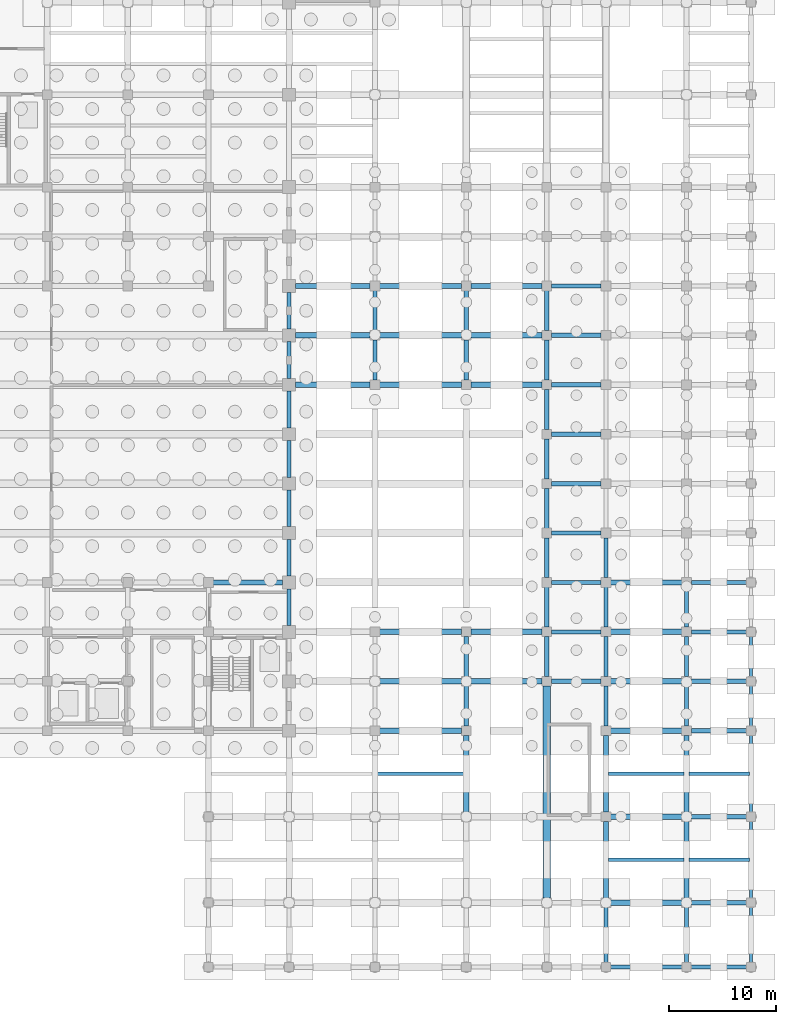
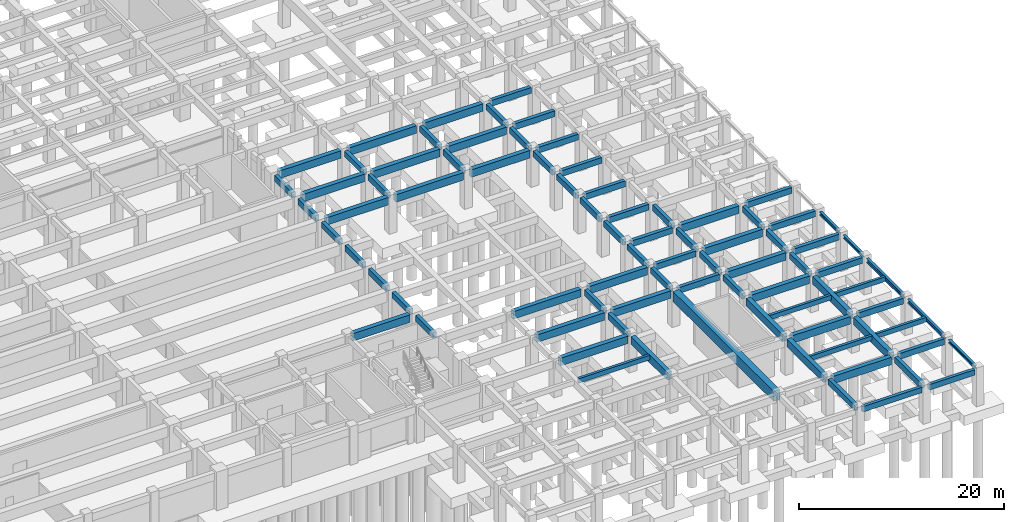
# One storey, part 18 of 32: 84 beams.
"""IFC4 building model written with IfcOpenShell, lengths in metres."""

from ifc_helpers import new_model, si_unit, direction, frame, origin, origin_2d, place, context, subcontext, project, spatial, rectangle, i_section, extrude, material, material_profile, profile_set, type_object, element, save


model = new_model("IFC4")

# Units and contexts
model_context = context("Model", 3, precision=1e-05, world=origin(), true_north=direction((0.0, 1.0)))
body_context = subcontext(model_context, "Body", "Model", "MODEL_VIEW")
ifc_project = project(units=[si_unit("LENGTHUNIT", "METRE"), si_unit("AREAUNIT", "SQUARE_METRE"), si_unit("VOLUMEUNIT", "CUBIC_METRE"), si_unit("PLANEANGLEUNIT", "RADIAN"), si_unit("MASSUNIT", "GRAM", prefix="KILO")], contexts=[model_context])

# Site, building, storey
site_placement = place(None, origin())
site = spatial("IfcSite", under=ifc_project, at=site_placement, CompositionType="ELEMENT")
building_placement = place(site_placement, origin())
building = spatial("IfcBuilding", under=site, at=building_placement, Name="Muzn Square Opera House", CompositionType="ELEMENT")
storey_placement = place(building_placement, frame((0.0, 0.0, -4.199951171875)))
storey = spatial("IfcBuildingStorey", under=building, at=storey_placement, Name="B1", CompositionType="ELEMENT", Elevation=-4.199951171875)

# Beams
ifc_material_1 = material(Name="Concrete C40/50", Category="concrete")
ifc_material_profile_1 = material_profile(ifc_material_1, rectangle(XDim=0.300048828125, YDim=0.550048828125, at=origin_2d()), Name="RCJ 300x550", Category="concrete")
ifc_profile_set_1 = profile_set([ifc_material_profile_1], Name="Concrete C40/50")
beam_type_1 = type_object("IfcBeamType", Name="Floor Joist 300x550", PredefinedType="JOIST", material=ifc_profile_set_1)
beam_1_placement = place(storey_placement, frame((141.241943359375, 18.0, 3.60498046875), z_axis=(1.0, 0.0, 0.0), x_axis=(0.0, 1.0, 0.0)))
element("IfcBeam", 1, at=beam_1_placement, inside=storey, type_object=beam_type_1, Name="Floor Joist BM-B1-BM-J550-1412_180_1493_180-701", PredefinedType="JOIST", context=body_context, shape_type="SweptSolid", body=[
    extrude(rectangle(XDim=0.300048828125, YDim=0.550048828125, at=origin_2d()), origin(), (0.0, 0.0, 1.0), 8.01611328125),
])
for number, where, z_axis, x_axis, name in (
    (2, (162.741943359375, 10.0, 3.60498046875), (1.0, 0.0, 0.0), (0.0, 1.0, 0.0), "Floor Joist BM-B1-BM-J550-1627_100_1698_100-710"),
    (3, (162.741943359375, 18.0, 3.60498046875), (1.0, 0.0, 0.0), (0.0, 1.0, 0.0), "Floor Joist BM-B1-BM-J550-1627_180_1698_180-711"),
):
    element("IfcBeam", number, at=place(storey_placement, frame(where, z_axis=z_axis, x_axis=x_axis)), inside=storey, type_object=beam_type_1, Name=name, PredefinedType="JOIST", context=body_context, shape_type="SweptSolid", body=[
        extrude(rectangle(XDim=0.300048828125, YDim=0.550048828125, at=origin_2d()), origin(), (0.0, 0.0, 1.0), 7.01611328125),
    ])
for number, where, z_axis, x_axis, name in (
    (4, (170.241943359375, 10.0, 3.6650390625), (1.0, 0.0, 0.0), (0.0, 1.0, 0.0), "Floor Joist BM-B1-BM-J550-1702_100_1759_100-712"),
    (5, (170.241943359375, 18.0, 3.6650390625), (1.0, 0.0, 0.0), (0.0, 1.0, 0.0), "Floor Joist BM-B1-BM-J550-1702_180_1759_180-713"),
):
    element("IfcBeam", number, at=place(storey_placement, frame(where, z_axis=z_axis, x_axis=x_axis)), inside=storey, type_object=beam_type_1, Name=name, PredefinedType="JOIST", context=body_context, shape_type="SweptSolid", body=[
        extrude(rectangle(XDim=0.300048828125, YDim=0.550048828125, at=origin_2d()), origin(), (0.0, 0.0, 1.0), 5.615966796875),
    ])
ifc_material_profile_2 = material_profile(ifc_material_1, rectangle(XDim=0.39990234375, YDim=0.699951171875, at=origin_2d()), Name="RCB 400x700", Category="concrete")
ifc_profile_set_2 = profile_set([ifc_material_profile_2], Name="Concrete C40/50")
beam_type_2 = type_object("IfcBeamType", Name="Primary Girder 400x700", PredefinedType="BEAM", material=ifc_profile_set_2)
for number, where, z_axis, x_axis, name in (
    (6, (170.44189453125, 6.0, 3.58984375), (1.0, 0.0, 0.0), (0.0, 1.0, 0.0), "Primary Girder BM-B1-BM-PG700-1704_60_1756_60-28"),
    (7, (170.44189453125, 14.0, 3.58984375), (1.0, 0.0, 0.0), (0.0, 1.0, 0.0), "Primary Girder BM-B1-BM-PG700-1704_140_1756_140-40"),
    (8, (170.44189453125, 22.0, 3.58984375), (1.0, 0.0, 0.0), (0.0, 1.0, 0.0), "Primary Girder BM-B1-BM-PG700-1704_220_1756_220-60"),
):
    element("IfcBeam", number, at=place(storey_placement, frame(where, z_axis=z_axis, x_axis=x_axis)), inside=storey, type_object=beam_type_2, Name=name, PredefinedType="BEAM", context=body_context, shape_type="SweptSolid", body=[
        extrude(rectangle(XDim=0.39990234375, YDim=0.699951171875, at=origin_2d()), origin(), (0.0, 0.0, 1.0), 5.14111328125),
    ])
beam_2_placement = place(storey_placement, frame((157.44189453125, 26.60009765625, 3.530029296875), z_axis=(1.0, 0.0, 0.0), x_axis=(0.0, 1.0, 0.0)))
element("IfcBeam", 9, at=beam_2_placement, inside=storey, type_object=beam_type_2, Name="Primary Girder BM-B1-BM-PG700-1574_266_1621_266-75", PredefinedType="BEAM", context=body_context, shape_type="SweptSolid", body=[
    extrude(rectangle(XDim=0.39990234375, YDim=0.699951171875, at=origin_2d()), origin(), (0.0, 0.0, 1.0), 4.6162109375),
])
beam_3_placement = place(storey_placement, frame((170.44189453125, 26.60009765625, 3.58984375), z_axis=(1.0, 0.0, 0.0), x_axis=(0.0, 1.0, 0.0)))
element("IfcBeam", 10, at=beam_3_placement, inside=storey, type_object=beam_type_2, Name="Primary Girder BM-B1-BM-PG700-1704_266_1756_266-77", PredefinedType="BEAM", context=body_context, shape_type="SweptSolid", body=[
    extrude(rectangle(XDim=0.39990234375, YDim=0.699951171875, at=origin_2d()), origin(), (0.0, 0.0, 1.0), 5.14111328125),
])
beam_4_placement = place(storey_placement, frame((157.44189453125, 31.199951171875, 3.530029296875), z_axis=(1.0, 0.0, 0.0), x_axis=(0.0, 1.0, 0.0)))
element("IfcBeam", 11, at=beam_4_placement, inside=storey, type_object=beam_type_2, Name="Primary Girder BM-B1-BM-PG700-1574_312_1621_312-96", PredefinedType="BEAM", context=body_context, shape_type="SweptSolid", body=[
    extrude(rectangle(XDim=0.39990234375, YDim=0.699951171875, at=origin_2d()), origin(), (0.0, 0.0, 1.0), 4.6162109375),
])
beam_5_placement = place(storey_placement, frame((170.44189453125, 31.199951171875, 3.58984375), z_axis=(1.0, 0.0, 0.0), x_axis=(0.0, 1.0, 0.0)))
element("IfcBeam", 12, at=beam_5_placement, inside=storey, type_object=beam_type_2, Name="Primary Girder BM-B1-BM-PG700-1704_312_1756_312-98", PredefinedType="BEAM", context=body_context, shape_type="SweptSolid", body=[
    extrude(rectangle(XDim=0.39990234375, YDim=0.699951171875, at=origin_2d()), origin(), (0.0, 0.0, 1.0), 5.14111328125),
])
beam_6_placement = place(storey_placement, frame((157.44189453125, 35.800048828125, 3.530029296875), z_axis=(1.0, 0.0, 0.0), x_axis=(0.0, 1.0, 0.0)))
element("IfcBeam", 13, at=beam_6_placement, inside=storey, type_object=beam_type_2, Name="Primary Girder BM-B1-BM-PG700-1574_358_1621_358-111", PredefinedType="BEAM", context=body_context, shape_type="SweptSolid", body=[
    extrude(rectangle(XDim=0.39990234375, YDim=0.699951171875, at=origin_2d()), origin(), (0.0, 0.0, 1.0), 4.6162109375),
])
beam_7_placement = place(storey_placement, frame((170.44189453125, 35.800048828125, 3.58984375), z_axis=(1.0, 0.0, 0.0), x_axis=(0.0, 1.0, 0.0)))
element("IfcBeam", 14, at=beam_7_placement, inside=storey, type_object=beam_type_2, Name="Primary Girder BM-B1-BM-PG700-1704_358_1756_358-113", PredefinedType="BEAM", context=body_context, shape_type="SweptSolid", body=[
    extrude(rectangle(XDim=0.39990234375, YDim=0.699951171875, at=origin_2d()), origin(), (0.0, 0.0, 1.0), 5.14111328125),
])
for number, where, z_axis, x_axis, name in (
    (15, (157.44189453125, 40.39990234375, 3.530029296875), (1.0, 0.0, 0.0), (0.0, 1.0, 0.0), "Primary Girder BM-B1-BM-PG700-1574_404_1621_404-120"),
    (16, (157.44189453125, 45.0, 3.530029296875), (1.0, 0.0, 0.0), (0.0, 1.0, 0.0), "Primary Girder BM-B1-BM-PG700-1574_450_1621_450-129"),
    (17, (157.44189453125, 49.60009765625, 3.530029296875), (1.0, 0.0, 0.0), (0.0, 1.0, 0.0), "Primary Girder BM-B1-BM-PG700-1574_496_1621_496-138"),
    (18, (157.44189453125, 54.199951171875, 3.530029296875), (1.0, 0.0, 0.0), (0.0, 1.0, 0.0), "Primary Girder BM-B1-BM-PG700-1574_542_1621_542-153"),
    (19, (157.44189453125, 58.800048828125, 3.530029296875), (1.0, 0.0, 0.0), (0.0, 1.0, 0.0), "Primary Girder BM-B1-BM-PG700-1574_588_1621_588-168"),
    (20, (157.44189453125, 63.39990234375, 3.530029296875), (1.0, 0.0, 0.0), (0.0, 1.0, 0.0), "Primary Girder BM-B1-BM-PG700-1574_634_1621_634-187"),
):
    element("IfcBeam", number, at=place(storey_placement, frame(where, z_axis=z_axis, x_axis=x_axis)), inside=storey, type_object=beam_type_2, Name=name, PredefinedType="BEAM", context=body_context, shape_type="SweptSolid", body=[
        extrude(rectangle(XDim=0.39990234375, YDim=0.699951171875, at=origin_2d()), origin(), (0.0, 0.0, 1.0), 4.6162109375),
    ])
for number, where, z_axis, x_axis, name in (
    (21, (133.0, 31.7919921875, 3.530029296875), (0.0, 1.0, 0.0), (-1.0, 0.0, 0.0), "Primary Girder BM-B1-BM-PG700-1330_318_1330_352-483"),
    (22, (133.0, 36.39208984375, 3.530029296875), (0.0, 1.0, 0.0), (-1.0, 0.0, 0.0), "Primary Girder BM-B1-BM-PG700-1330_364_1330_398-484"),
    (23, (133.0, 40.991943359375, 3.530029296875), (0.0, 1.0, 0.0), (-1.0, 0.0, 0.0), "Primary Girder BM-B1-BM-PG700-1330_410_1330_444-485"),
    (24, (133.0, 45.592041015625, 3.530029296875), (0.0, 1.0, 0.0), (-1.0, 0.0, 0.0), "Primary Girder BM-B1-BM-PG700-1330_456_1330_490-486"),
    (25, (133.0, 50.19189453125, 3.530029296875), (0.0, 1.0, 0.0), (-1.0, 0.0, 0.0), "Primary Girder BM-B1-BM-PG700-1330_502_1330_536-487"),
    (26, (133.0, 54.7919921875, 3.530029296875), (0.0, 1.0, 0.0), (-1.0, 0.0, 0.0), "Primary Girder BM-B1-BM-PG700-1330_548_1330_582-488"),
    (27, (133.0, 59.39208984375, 3.530029296875), (0.0, 1.0, 0.0), (-1.0, 0.0, 0.0), "Primary Girder BM-B1-BM-PG700-1330_594_1330_628-489"),
):
    element("IfcBeam", number, at=place(storey_placement, frame(where, z_axis=z_axis, x_axis=x_axis)), inside=storey, type_object=beam_type_2, Name=name, PredefinedType="BEAM", context=body_context, shape_type="SweptSolid", body=[
        extrude(rectangle(XDim=0.39990234375, YDim=0.699951171875, at=origin_2d()), origin(), (0.0, 0.0, 1.0), 3.416015625),
    ])
beam_8_placement = place(storey_placement, frame((141.0, 54.64208984375, 3.530029296875), z_axis=(0.0, 1.0, 0.0), x_axis=(-1.0, 0.0, 0.0)))
element("IfcBeam", 28, at=beam_8_placement, inside=storey, type_object=beam_type_2, Name="Primary Girder BM-B1-BM-PG700-1410_546_1410_584-500", PredefinedType="BEAM", context=body_context, shape_type="SweptSolid", body=[
    extrude(rectangle(XDim=0.39990234375, YDim=0.699951171875, at=origin_2d()), origin(), (0.0, 0.0, 1.0), 3.7158203125),
])
for number, where, z_axis, x_axis, name in (
    (29, (141.0, 59.241943359375, 3.530029296875), (0.0, 1.0, 0.0), (-1.0, 0.0, 0.0), "Primary Girder BM-B1-BM-PG700-1410_592_1410_630-501"),
    (30, (149.5, 22.44189453125, 3.530029296875), (0.0, 1.0, 0.0), (-1.0, 0.0, 0.0), "Primary Girder BM-B1-BM-PG700-1495_224_1495_262-510"),
    (31, (149.5, 27.0419921875, 3.530029296875), (0.0, 1.0, 0.0), (-1.0, 0.0, 0.0), "Primary Girder BM-B1-BM-PG700-1495_270_1495_308-511"),
):
    element("IfcBeam", number, at=place(storey_placement, frame(where, z_axis=z_axis, x_axis=x_axis)), inside=storey, type_object=beam_type_2, Name=name, PredefinedType="BEAM", context=body_context, shape_type="SweptSolid", body=[
        extrude(rectangle(XDim=0.39990234375, YDim=0.699951171875, at=origin_2d()), origin(), (0.0, 0.0, 1.0), 3.716064453125),
    ])
beam_9_placement = place(storey_placement, frame((149.5, 54.64208984375, 3.530029296875), z_axis=(0.0, 1.0, 0.0), x_axis=(-1.0, 0.0, 0.0)))
element("IfcBeam", 32, at=beam_9_placement, inside=storey, type_object=beam_type_2, Name="Primary Girder BM-B1-BM-PG700-1495_546_1495_584-512", PredefinedType="BEAM", context=body_context, shape_type="SweptSolid", body=[
    extrude(rectangle(XDim=0.39990234375, YDim=0.699951171875, at=origin_2d()), origin(), (0.0, 0.0, 1.0), 3.7158203125),
])
for number, where, z_axis, x_axis, name in (
    (33, (149.5, 59.241943359375, 3.530029296875), (0.0, 1.0, 0.0), (-1.0, 0.0, 0.0), "Primary Girder BM-B1-BM-PG700-1495_592_1495_630-513"),
    (34, (157.0, 27.0419921875, 3.530029296875), (0.0, 1.0, 0.0), (-1.0, 0.0, 0.0), "Primary Girder BM-B1-BM-PG700-1570_270_1570_308-519"),
):
    element("IfcBeam", number, at=place(storey_placement, frame(where, z_axis=z_axis, x_axis=x_axis)), inside=storey, type_object=beam_type_2, Name=name, PredefinedType="BEAM", context=body_context, shape_type="SweptSolid", body=[
        extrude(rectangle(XDim=0.39990234375, YDim=0.699951171875, at=origin_2d()), origin(), (0.0, 0.0, 1.0), 3.716064453125),
    ])
beam_10_placement = place(storey_placement, frame((157.0, 31.64208984375, 3.530029296875), z_axis=(0.0, 1.0, 0.0), x_axis=(-1.0, 0.0, 0.0)))
element("IfcBeam", 35, at=beam_10_placement, inside=storey, type_object=beam_type_2, Name="Primary Girder BM-B1-BM-PG700-1570_316_1570_354-520", PredefinedType="BEAM", context=body_context, shape_type="SweptSolid", body=[
    extrude(rectangle(XDim=0.39990234375, YDim=0.699951171875, at=origin_2d()), origin(), (0.0, 0.0, 1.0), 3.7158203125),
])
for number, where, z_axis, x_axis, name in (
    (36, (157.0, 36.241943359375, 3.530029296875), (0.0, 1.0, 0.0), (-1.0, 0.0, 0.0), "Primary Girder BM-B1-BM-PG700-1570_362_1570_400-521"),
    (37, (157.0, 40.842041015625, 3.530029296875), (0.0, 1.0, 0.0), (-1.0, 0.0, 0.0), "Primary Girder BM-B1-BM-PG700-1570_408_1570_446-522"),
    (38, (157.0, 45.44189453125, 3.530029296875), (0.0, 1.0, 0.0), (-1.0, 0.0, 0.0), "Primary Girder BM-B1-BM-PG700-1570_454_1570_492-523"),
    (39, (157.0, 50.0419921875, 3.530029296875), (0.0, 1.0, 0.0), (-1.0, 0.0, 0.0), "Primary Girder BM-B1-BM-PG700-1570_500_1570_538-524"),
):
    element("IfcBeam", number, at=place(storey_placement, frame(where, z_axis=z_axis, x_axis=x_axis)), inside=storey, type_object=beam_type_2, Name=name, PredefinedType="BEAM", context=body_context, shape_type="SweptSolid", body=[
        extrude(rectangle(XDim=0.39990234375, YDim=0.699951171875, at=origin_2d()), origin(), (0.0, 0.0, 1.0), 3.716064453125),
    ])
beam_11_placement = place(storey_placement, frame((157.0, 54.64208984375, 3.530029296875), z_axis=(0.0, 1.0, 0.0), x_axis=(-1.0, 0.0, 0.0)))
element("IfcBeam", 40, at=beam_11_placement, inside=storey, type_object=beam_type_2, Name="Primary Girder BM-B1-BM-PG700-1570_546_1570_584-525", PredefinedType="BEAM", context=body_context, shape_type="SweptSolid", body=[
    extrude(rectangle(XDim=0.39990234375, YDim=0.699951171875, at=origin_2d()), origin(), (0.0, 0.0, 1.0), 3.7158203125),
])
beam_12_placement = place(storey_placement, frame((157.0, 59.241943359375, 3.530029296875), z_axis=(0.0, 1.0, 0.0), x_axis=(-1.0, 0.0, 0.0)))
element("IfcBeam", 41, at=beam_12_placement, inside=storey, type_object=beam_type_2, Name="Primary Girder BM-B1-BM-PG700-1570_592_1570_630-526", PredefinedType="BEAM", context=body_context, shape_type="SweptSolid", body=[
    extrude(rectangle(XDim=0.39990234375, YDim=0.699951171875, at=origin_2d()), origin(), (0.0, 0.0, 1.0), 3.716064453125),
])
beam_13_placement = place(storey_placement, frame((162.5, 0.4169921875, 3.58984375), z_axis=(0.0, 1.0, 0.0), x_axis=(-1.0, 0.0, 0.0)))
element("IfcBeam", 42, at=beam_13_placement, inside=storey, type_object=beam_type_2, Name="Primary Girder BM-B1-BM-PG700-1625_4_1625_56-530", PredefinedType="BEAM", context=body_context, shape_type="SweptSolid", body=[
    extrude(rectangle(XDim=0.39990234375, YDim=0.699951171875, at=origin_2d()), origin(), (0.0, 0.0, 1.0), 5.14111328125),
])
for number, where, z_axis, x_axis, name in (
    (43, (162.5, 22.44189453125, 3.530029296875), (0.0, 1.0, 0.0), (-1.0, 0.0, 0.0), "Primary Girder BM-B1-BM-PG700-1625_224_1625_262-533"),
    (44, (162.5, 27.0419921875, 3.530029296875), (0.0, 1.0, 0.0), (-1.0, 0.0, 0.0), "Primary Girder BM-B1-BM-PG700-1625_270_1625_308-534"),
):
    element("IfcBeam", number, at=place(storey_placement, frame(where, z_axis=z_axis, x_axis=x_axis)), inside=storey, type_object=beam_type_2, Name=name, PredefinedType="BEAM", context=body_context, shape_type="SweptSolid", body=[
        extrude(rectangle(XDim=0.39990234375, YDim=0.699951171875, at=origin_2d()), origin(), (0.0, 0.0, 1.0), 3.716064453125),
    ])
beam_14_placement = place(storey_placement, frame((162.5, 31.64208984375, 3.530029296875), z_axis=(0.0, 1.0, 0.0), x_axis=(-1.0, 0.0, 0.0)))
element("IfcBeam", 45, at=beam_14_placement, inside=storey, type_object=beam_type_2, Name="Primary Girder BM-B1-BM-PG700-1625_316_1625_354-535", PredefinedType="BEAM", context=body_context, shape_type="SweptSolid", body=[
    extrude(rectangle(XDim=0.39990234375, YDim=0.699951171875, at=origin_2d()), origin(), (0.0, 0.0, 1.0), 3.7158203125),
])
beam_15_placement = place(storey_placement, frame((162.5, 36.241943359375, 3.530029296875), z_axis=(0.0, 1.0, 0.0), x_axis=(-1.0, 0.0, 0.0)))
element("IfcBeam", 46, at=beam_15_placement, inside=storey, type_object=beam_type_2, Name="Primary Girder BM-B1-BM-PG700-1625_362_1625_400-536", PredefinedType="BEAM", context=body_context, shape_type="SweptSolid", body=[
    extrude(rectangle(XDim=0.39990234375, YDim=0.699951171875, at=origin_2d()), origin(), (0.0, 0.0, 1.0), 3.716064453125),
])
beam_16_placement = place(storey_placement, frame((170.0, 0.4169921875, 3.58984375), z_axis=(0.0, 1.0, 0.0), x_axis=(-1.0, 0.0, 0.0)))
element("IfcBeam", 47, at=beam_16_placement, inside=storey, type_object=beam_type_2, Name="Primary Girder BM-B1-BM-PG700-1700_4_1700_56-545", PredefinedType="BEAM", context=body_context, shape_type="SweptSolid", body=[
    extrude(rectangle(XDim=0.39990234375, YDim=0.699951171875, at=origin_2d()), origin(), (0.0, 0.0, 1.0), 5.14111328125),
])
for number, where, z_axis, x_axis, name in (
    (48, (170.0, 22.44189453125, 3.530029296875), (0.0, 1.0, 0.0), (-1.0, 0.0, 0.0), "Primary Girder BM-B1-BM-PG700-1700_224_1700_262-548"),
    (49, (170.0, 27.0419921875, 3.530029296875), (0.0, 1.0, 0.0), (-1.0, 0.0, 0.0), "Primary Girder BM-B1-BM-PG700-1700_270_1700_308-549"),
):
    element("IfcBeam", number, at=place(storey_placement, frame(where, z_axis=z_axis, x_axis=x_axis)), inside=storey, type_object=beam_type_2, Name=name, PredefinedType="BEAM", context=body_context, shape_type="SweptSolid", body=[
        extrude(rectangle(XDim=0.39990234375, YDim=0.699951171875, at=origin_2d()), origin(), (0.0, 0.0, 1.0), 3.716064453125),
    ])
beam_17_placement = place(storey_placement, frame((170.0, 31.64208984375, 3.530029296875), z_axis=(0.0, 1.0, 0.0), x_axis=(-1.0, 0.0, 0.0)))
element("IfcBeam", 50, at=beam_17_placement, inside=storey, type_object=beam_type_2, Name="Primary Girder BM-B1-BM-PG700-1700_316_1700_354-550", PredefinedType="BEAM", context=body_context, shape_type="SweptSolid", body=[
    extrude(rectangle(XDim=0.39990234375, YDim=0.699951171875, at=origin_2d()), origin(), (0.0, 0.0, 1.0), 3.7158203125),
])
ifc_material_profile_3 = material_profile(ifc_material_1, rectangle(XDim=0.5, YDim=0.89990234375, at=origin_2d()), Name="RCB 500x900", Category="concrete")
ifc_profile_set_3 = profile_set([ifc_material_profile_3], Name="Concrete C40/50")
beam_type_3 = type_object("IfcBeamType", Name="Primary Girder 500x900", PredefinedType="BEAM", material=ifc_profile_set_3)
for number, where, z_axis, x_axis, name in (
    (51, (162.94189453125, 6.0, 3.429931640625), (1.0, 0.0, 0.0), (0.0, 1.0, 0.0), "Primary Girder BM-B1-BM-PG900-1629_60_1696_60-27"),
    (52, (162.94189453125, 14.0, 3.429931640625), (1.0, 0.0, 0.0), (0.0, 1.0, 0.0), "Primary Girder BM-B1-BM-PG900-1629_140_1696_140-39"),
):
    element("IfcBeam", number, at=place(storey_placement, frame(where, z_axis=z_axis, x_axis=x_axis)), inside=storey, type_object=beam_type_3, Name=name, PredefinedType="BEAM", context=body_context, shape_type="SweptSolid", body=[
        extrude(rectangle(XDim=0.5, YDim=0.89990234375, at=origin_2d()), origin(), (0.0, 0.0, 1.0), 6.6162109375),
    ])
beam_18_placement = place(storey_placement, frame((141.44189453125, 22.0, 3.429931640625), z_axis=(1.0, 0.0, 0.0), x_axis=(0.0, 1.0, 0.0)))
element("IfcBeam", 53, at=beam_18_placement, inside=storey, type_object=beam_type_3, Name="Primary Girder BM-B1-BM-PG900-1414_220_1491_220-58", PredefinedType="BEAM", context=body_context, shape_type="SweptSolid", body=[
    extrude(rectangle(XDim=0.5, YDim=0.89990234375, at=origin_2d()), origin(), (0.0, 0.0, 1.0), 7.6162109375),
])
beam_19_placement = place(storey_placement, frame((162.94189453125, 22.0, 3.429931640625), z_axis=(1.0, 0.0, 0.0), x_axis=(0.0, 1.0, 0.0)))
element("IfcBeam", 54, at=beam_19_placement, inside=storey, type_object=beam_type_3, Name="Primary Girder BM-B1-BM-PG900-1629_220_1696_220-59", PredefinedType="BEAM", context=body_context, shape_type="SweptSolid", body=[
    extrude(rectangle(XDim=0.5, YDim=0.89990234375, at=origin_2d()), origin(), (0.0, 0.0, 1.0), 6.6162109375),
])
beam_20_placement = place(storey_placement, frame((141.44189453125, 26.60009765625, 3.429931640625), z_axis=(1.0, 0.0, 0.0), x_axis=(0.0, 1.0, 0.0)))
element("IfcBeam", 55, at=beam_20_placement, inside=storey, type_object=beam_type_3, Name="Primary Girder BM-B1-BM-PG900-1414_266_1491_266-73", PredefinedType="BEAM", context=body_context, shape_type="SweptSolid", body=[
    extrude(rectangle(XDim=0.5, YDim=0.89990234375, at=origin_2d()), origin(), (0.0, 0.0, 1.0), 7.6162109375),
])
for number, where, z_axis, x_axis, name in (
    (56, (149.94189453125, 26.60009765625, 3.429931640625), (1.0, 0.0, 0.0), (0.0, 1.0, 0.0), "Primary Girder BM-B1-BM-PG900-1499_266_1566_266-74"),
    (57, (162.94189453125, 26.60009765625, 3.429931640625), (1.0, 0.0, 0.0), (0.0, 1.0, 0.0), "Primary Girder BM-B1-BM-PG900-1629_266_1696_266-76"),
):
    element("IfcBeam", number, at=place(storey_placement, frame(where, z_axis=z_axis, x_axis=x_axis)), inside=storey, type_object=beam_type_3, Name=name, PredefinedType="BEAM", context=body_context, shape_type="SweptSolid", body=[
        extrude(rectangle(XDim=0.5, YDim=0.89990234375, at=origin_2d()), origin(), (0.0, 0.0, 1.0), 6.6162109375),
    ])
beam_21_placement = place(storey_placement, frame((141.44189453125, 31.199951171875, 3.429931640625), z_axis=(1.0, 0.0, 0.0), x_axis=(0.0, 1.0, 0.0)))
element("IfcBeam", 58, at=beam_21_placement, inside=storey, type_object=beam_type_3, Name="Primary Girder BM-B1-BM-PG900-1414_312_1491_312-94", PredefinedType="BEAM", context=body_context, shape_type="SweptSolid", body=[
    extrude(rectangle(XDim=0.5, YDim=0.89990234375, at=origin_2d()), origin(), (0.0, 0.0, 1.0), 7.6162109375),
])
for number, where, z_axis, x_axis, name in (
    (59, (149.94189453125, 31.199951171875, 3.429931640625), (1.0, 0.0, 0.0), (0.0, 1.0, 0.0), "Primary Girder BM-B1-BM-PG900-1499_312_1566_312-95"),
    (60, (162.94189453125, 31.199951171875, 3.429931640625), (1.0, 0.0, 0.0), (0.0, 1.0, 0.0), "Primary Girder BM-B1-BM-PG900-1629_312_1696_312-97"),
):
    element("IfcBeam", number, at=place(storey_placement, frame(where, z_axis=z_axis, x_axis=x_axis)), inside=storey, type_object=beam_type_3, Name=name, PredefinedType="BEAM", context=body_context, shape_type="SweptSolid", body=[
        extrude(rectangle(XDim=0.5, YDim=0.89990234375, at=origin_2d()), origin(), (0.0, 0.0, 1.0), 6.6162109375),
    ])
beam_22_placement = place(storey_placement, frame((125.94189453125, 35.800048828125, 3.429931640625), z_axis=(1.0, 0.0, 0.0), x_axis=(0.0, 1.0, 0.0)))
element("IfcBeam", 61, at=beam_22_placement, inside=storey, type_object=beam_type_3, Name="Primary Girder BM-B1-BM-PG900-1259_358_1324_358-110", PredefinedType="BEAM", context=body_context, shape_type="SweptSolid", body=[
    extrude(rectangle(XDim=0.5, YDim=0.89990234375, at=origin_2d()), origin(), (0.0, 0.0, 1.0), 6.466064453125),
])
beam_23_placement = place(storey_placement, frame((162.94189453125, 35.800048828125, 3.429931640625), z_axis=(1.0, 0.0, 0.0), x_axis=(0.0, 1.0, 0.0)))
element("IfcBeam", 62, at=beam_23_placement, inside=storey, type_object=beam_type_3, Name="Primary Girder BM-B1-BM-PG900-1629_358_1696_358-112", PredefinedType="BEAM", context=body_context, shape_type="SweptSolid", body=[
    extrude(rectangle(XDim=0.5, YDim=0.89990234375, at=origin_2d()), origin(), (0.0, 0.0, 1.0), 6.6162109375),
])
beam_24_placement = place(storey_placement, frame((133.592041015625, 54.199951171875, 3.429931640625), z_axis=(1.0, 0.0, 0.0), x_axis=(0.0, 1.0, 0.0)))
element("IfcBeam", 63, at=beam_24_placement, inside=storey, type_object=beam_type_3, Name="Primary Girder BM-B1-BM-PG900-1336_542_1406_542-150", PredefinedType="BEAM", context=body_context, shape_type="SweptSolid", body=[
    extrude(rectangle(XDim=0.5, YDim=0.89990234375, at=origin_2d()), origin(), (0.0, 0.0, 1.0), 6.966064453125),
])
beam_25_placement = place(storey_placement, frame((141.44189453125, 54.199951171875, 3.429931640625), z_axis=(1.0, 0.0, 0.0), x_axis=(0.0, 1.0, 0.0)))
element("IfcBeam", 64, at=beam_25_placement, inside=storey, type_object=beam_type_3, Name="Primary Girder BM-B1-BM-PG900-1414_542_1491_542-151", PredefinedType="BEAM", context=body_context, shape_type="SweptSolid", body=[
    extrude(rectangle(XDim=0.5, YDim=0.89990234375, at=origin_2d()), origin(), (0.0, 0.0, 1.0), 7.6162109375),
])
beam_26_placement = place(storey_placement, frame((149.94189453125, 54.199951171875, 3.429931640625), z_axis=(1.0, 0.0, 0.0), x_axis=(0.0, 1.0, 0.0)))
element("IfcBeam", 65, at=beam_26_placement, inside=storey, type_object=beam_type_3, Name="Primary Girder BM-B1-BM-PG900-1499_542_1566_542-152", PredefinedType="BEAM", context=body_context, shape_type="SweptSolid", body=[
    extrude(rectangle(XDim=0.5, YDim=0.89990234375, at=origin_2d()), origin(), (0.0, 0.0, 1.0), 6.6162109375),
])
beam_27_placement = place(storey_placement, frame((133.592041015625, 58.800048828125, 3.429931640625), z_axis=(1.0, 0.0, 0.0), x_axis=(0.0, 1.0, 0.0)))
element("IfcBeam", 66, at=beam_27_placement, inside=storey, type_object=beam_type_3, Name="Primary Girder BM-B1-BM-PG900-1336_588_1406_588-165", PredefinedType="BEAM", context=body_context, shape_type="SweptSolid", body=[
    extrude(rectangle(XDim=0.5, YDim=0.89990234375, at=origin_2d()), origin(), (0.0, 0.0, 1.0), 6.966064453125),
])
beam_28_placement = place(storey_placement, frame((141.44189453125, 58.800048828125, 3.429931640625), z_axis=(1.0, 0.0, 0.0), x_axis=(0.0, 1.0, 0.0)))
element("IfcBeam", 67, at=beam_28_placement, inside=storey, type_object=beam_type_3, Name="Primary Girder BM-B1-BM-PG900-1414_588_1491_588-166", PredefinedType="BEAM", context=body_context, shape_type="SweptSolid", body=[
    extrude(rectangle(XDim=0.5, YDim=0.89990234375, at=origin_2d()), origin(), (0.0, 0.0, 1.0), 7.6162109375),
])
beam_29_placement = place(storey_placement, frame((149.94189453125, 58.800048828125, 3.429931640625), z_axis=(1.0, 0.0, 0.0), x_axis=(0.0, 1.0, 0.0)))
element("IfcBeam", 68, at=beam_29_placement, inside=storey, type_object=beam_type_3, Name="Primary Girder BM-B1-BM-PG900-1499_588_1566_588-167", PredefinedType="BEAM", context=body_context, shape_type="SweptSolid", body=[
    extrude(rectangle(XDim=0.5, YDim=0.89990234375, at=origin_2d()), origin(), (0.0, 0.0, 1.0), 6.6162109375),
])
beam_30_placement = place(storey_placement, frame((133.592041015625, 63.39990234375, 3.429931640625), z_axis=(1.0, 0.0, 0.0), x_axis=(0.0, 1.0, 0.0)))
element("IfcBeam", 69, at=beam_30_placement, inside=storey, type_object=beam_type_3, Name="Primary Girder BM-B1-BM-PG900-1336_634_1406_634-184", PredefinedType="BEAM", context=body_context, shape_type="SweptSolid", body=[
    extrude(rectangle(XDim=0.5, YDim=0.89990234375, at=origin_2d()), origin(), (0.0, 0.0, 1.0), 6.966064453125),
])
beam_31_placement = place(storey_placement, frame((141.44189453125, 63.39990234375, 3.429931640625), z_axis=(1.0, 0.0, 0.0), x_axis=(0.0, 1.0, 0.0)))
element("IfcBeam", 70, at=beam_31_placement, inside=storey, type_object=beam_type_3, Name="Primary Girder BM-B1-BM-PG900-1414_634_1491_634-185", PredefinedType="BEAM", context=body_context, shape_type="SweptSolid", body=[
    extrude(rectangle(XDim=0.5, YDim=0.89990234375, at=origin_2d()), origin(), (0.0, 0.0, 1.0), 7.6162109375),
])
beam_32_placement = place(storey_placement, frame((149.94189453125, 63.39990234375, 3.429931640625), z_axis=(1.0, 0.0, 0.0), x_axis=(0.0, 1.0, 0.0)))
element("IfcBeam", 71, at=beam_32_placement, inside=storey, type_object=beam_type_3, Name="Primary Girder BM-B1-BM-PG900-1499_634_1566_634-186", PredefinedType="BEAM", context=body_context, shape_type="SweptSolid", body=[
    extrude(rectangle(XDim=0.5, YDim=0.89990234375, at=origin_2d()), origin(), (0.0, 0.0, 1.0), 6.6162109375),
])
for number, where, z_axis, x_axis, name in (
    (72, (149.5, 14.44189453125, 3.429931640625), (0.0, 1.0, 0.0), (-1.0, 0.0, 0.0), "Primary Girder BM-B1-BM-PG900-1495_144_1495_216-509"),
    (73, (162.5, 6.44189453125, 3.429931640625), (0.0, 1.0, 0.0), (-1.0, 0.0, 0.0), "Primary Girder BM-B1-BM-PG900-1625_64_1625_136-531"),
    (74, (162.5, 14.44189453125, 3.429931640625), (0.0, 1.0, 0.0), (-1.0, 0.0, 0.0), "Primary Girder BM-B1-BM-PG900-1625_144_1625_216-532"),
    (75, (170.0, 6.44189453125, 3.429931640625), (0.0, 1.0, 0.0), (-1.0, 0.0, 0.0), "Primary Girder BM-B1-BM-PG900-1700_64_1700_136-546"),
    (76, (170.0, 14.44189453125, 3.429931640625), (0.0, 1.0, 0.0), (-1.0, 0.0, 0.0), "Primary Girder BM-B1-BM-PG900-1700_144_1700_216-547"),
):
    element("IfcBeam", number, at=place(storey_placement, frame(where, z_axis=z_axis, x_axis=x_axis)), inside=storey, type_object=beam_type_3, Name=name, PredefinedType="BEAM", context=body_context, shape_type="SweptSolid", body=[
        extrude(rectangle(XDim=0.5, YDim=0.89990234375, at=origin_2d()), origin(), (0.0, 0.0, 1.0), 7.1162109375),
    ])
ifc_material_profile_4 = material_profile(ifc_material_1, rectangle(XDim=0.699951171875, YDim=1.199951171875, at=origin_2d()), Name="RCB 700x1200", Category="concrete")
ifc_profile_set_4 = profile_set([ifc_material_profile_4], Name="Concrete C40/50")
beam_type_4 = type_object("IfcBeamType", Name="Primary Girder 700x1200", PredefinedType="BEAM", material=ifc_profile_set_4)
beam_33_placement = place(storey_placement, frame((157.0, 6.44189453125, 3.280029296875), z_axis=(0.0, 1.0, 0.0), x_axis=(-1.0, 0.0, 0.0)))
element("IfcBeam", 77, at=beam_33_placement, inside=storey, type_object=beam_type_4, Name="Primary Girder BM-B1-BM-PG1200-1570_64_1570_262-518", PredefinedType="BEAM", context=body_context, shape_type="SweptSolid", body=[
    extrude(rectangle(XDim=0.699951171875, YDim=1.199951171875, at=origin_2d()), origin(), (0.0, 0.0, 1.0), 19.716064453125),
])
ifc_material_profile_5 = material_profile(ifc_material_1, rectangle(XDim=0.35009765625, YDim=0.64990234375, at=origin_2d()), Name="RCS 350x650", Category="concrete")
ifc_profile_set_5 = profile_set([ifc_material_profile_5], Name="Concrete C40/50")
beam_type_5 = type_object("IfcBeamType", Name="Spandrel Beam 350x650", PredefinedType="SPANDREL", material=ifc_profile_set_5)
beam_34_placement = place(storey_placement, frame((162.9169921875, 0.0, 3.554931640625), z_axis=(1.0, 0.0, 0.0), x_axis=(0.0, 1.0, 0.0)))
element("IfcBeam", 78, at=beam_34_placement, inside=storey, type_object=beam_type_5, Name="Spandrel Beam BM-B1-BM-SP650-1629_0_1696_0-13", PredefinedType="SPANDREL", context=body_context, shape_type="SweptSolid", body=[
    extrude(rectangle(XDim=0.35009765625, YDim=0.64990234375, at=origin_2d()), origin(), (0.0, 0.0, 1.0), 6.666015625),
])
beam_35_placement = place(storey_placement, frame((170.4169921875, 0.0, 3.554931640625), z_axis=(1.0, 0.0, 0.0), x_axis=(0.0, 1.0, 0.0)))
element("IfcBeam", 79, at=beam_35_placement, inside=storey, type_object=beam_type_5, Name="Spandrel Beam BM-B1-BM-SP650-1704_0_1756_0-14", PredefinedType="SPANDREL", context=body_context, shape_type="SweptSolid", body=[
    extrude(rectangle(XDim=0.35009765625, YDim=0.64990234375, at=origin_2d()), origin(), (0.0, 0.0, 1.0), 5.166015625),
])
ifc_material_2 = material(Name="Steel S355", Category="steel")
ifc_material_profile_6 = material_profile(ifc_material_2, i_section(OverallWidth=0.300048828125, OverallDepth=0.389892578125, WebThickness=0.010986328125, FlangeThickness=0.01904296875, FilletRadius=0.027099609375, at=origin_2d()), Name="HEA 400", Category="steel")
ifc_profile_set_6 = profile_set([ifc_material_profile_6], Name="Steel S355")
beam_type_6 = type_object("IfcBeamType", Name="Steel Spandrel Beam HEA400", PredefinedType="SPANDREL", material=ifc_profile_set_6)
beam_36_placement = place(storey_placement, frame((176.0, 0.4169921875, 3.68505859375), z_axis=(0.0, 1.0, 0.0), x_axis=(-1.0, 0.0, 0.0)))
element("IfcBeam", 80, at=beam_36_placement, inside=storey, type_object=beam_type_6, Name="Spandrel Beam BM-B1-BM-SSP400-1760_4_1760_56-562", PredefinedType="SPANDREL", context=body_context, shape_type="SweptSolid", body=[
    extrude(i_section(OverallWidth=0.300048828125, OverallDepth=0.389892578125, WebThickness=0.010986328125, FlangeThickness=0.01904296875, FilletRadius=0.027099609375, at=origin_2d()), origin(), (0.0, 0.0, 1.0), 5.166015625),
])
beam_37_placement = place(storey_placement, frame((176.0, 22.4169921875, 3.68505859375), z_axis=(0.0, 1.0, 0.0), x_axis=(-1.0, 0.0, 0.0)))
element("IfcBeam", 81, at=beam_37_placement, inside=storey, type_object=beam_type_6, Name="Spandrel Beam BM-B1-BM-SSP400-1760_224_1760_262-565", PredefinedType="SPANDREL", context=body_context, shape_type="SweptSolid", body=[
    extrude(i_section(OverallWidth=0.300048828125, OverallDepth=0.389892578125, WebThickness=0.010986328125, FlangeThickness=0.01904296875, FilletRadius=0.027099609375, at=origin_2d()), origin(), (0.0, 0.0, 1.0), 3.76611328125),
])
beam_38_placement = place(storey_placement, frame((176.0, 27.01708984375, 3.68505859375), z_axis=(0.0, 1.0, 0.0), x_axis=(-1.0, 0.0, 0.0)))
element("IfcBeam", 82, at=beam_38_placement, inside=storey, type_object=beam_type_6, Name="Spandrel Beam BM-B1-BM-SSP400-1760_270_1760_308-566", PredefinedType="SPANDREL", context=body_context, shape_type="SweptSolid", body=[
    extrude(i_section(OverallWidth=0.300048828125, OverallDepth=0.389892578125, WebThickness=0.010986328125, FlangeThickness=0.01904296875, FilletRadius=0.027099609375, at=origin_2d()), origin(), (0.0, 0.0, 1.0), 3.765869140625),
])
ifc_material_profile_7 = material_profile(ifc_material_2, i_section(OverallWidth=0.300048828125, OverallDepth=0.489990234375, WebThickness=0.011962890625, FlangeThickness=0.02294921875, FilletRadius=0.027099609375, at=origin_2d()), Name="HEA 500", Category="steel")
ifc_profile_set_7 = profile_set([ifc_material_profile_7], Name="Steel S355")
beam_type_7 = type_object("IfcBeamType", Name="Steel Spandrel Beam HEA500", PredefinedType="SPANDREL", material=ifc_profile_set_7)
for number, where, z_axis, x_axis, name in (
    (83, (176.0, 6.4169921875, 3.635009765625), (0.0, 1.0, 0.0), (-1.0, 0.0, 0.0), "Spandrel Beam BM-B1-BM-SSP500-1760_64_1760_136-563"),
    (84, (176.0, 14.4169921875, 3.635009765625), (0.0, 1.0, 0.0), (-1.0, 0.0, 0.0), "Spandrel Beam BM-B1-BM-SSP500-1760_144_1760_216-564"),
):
    element("IfcBeam", number, at=place(storey_placement, frame(where, z_axis=z_axis, x_axis=x_axis)), inside=storey, type_object=beam_type_7, Name=name, PredefinedType="SPANDREL", context=body_context, shape_type="SweptSolid", body=[
        extrude(i_section(OverallWidth=0.300048828125, OverallDepth=0.489990234375, WebThickness=0.011962890625, FlangeThickness=0.02294921875, FilletRadius=0.027099609375, at=origin_2d()), origin(), (0.0, 0.0, 1.0), 7.166015625),
    ])

save(model, "model.ifc")
